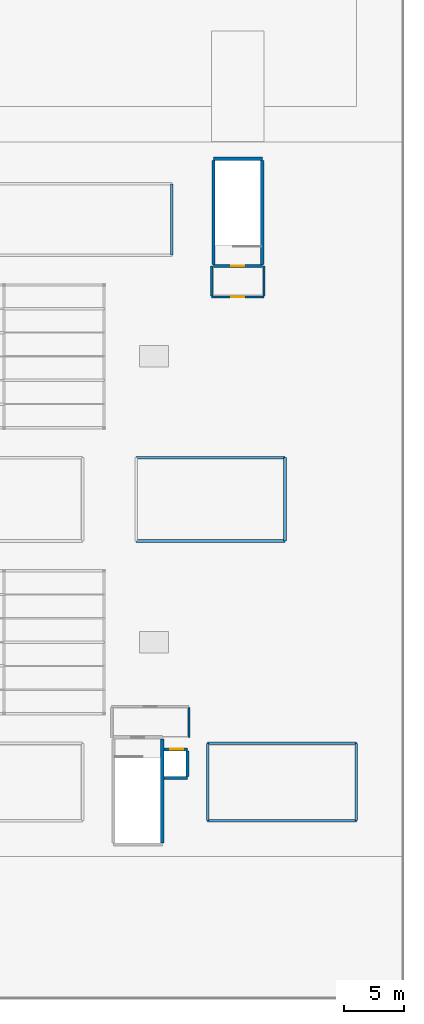
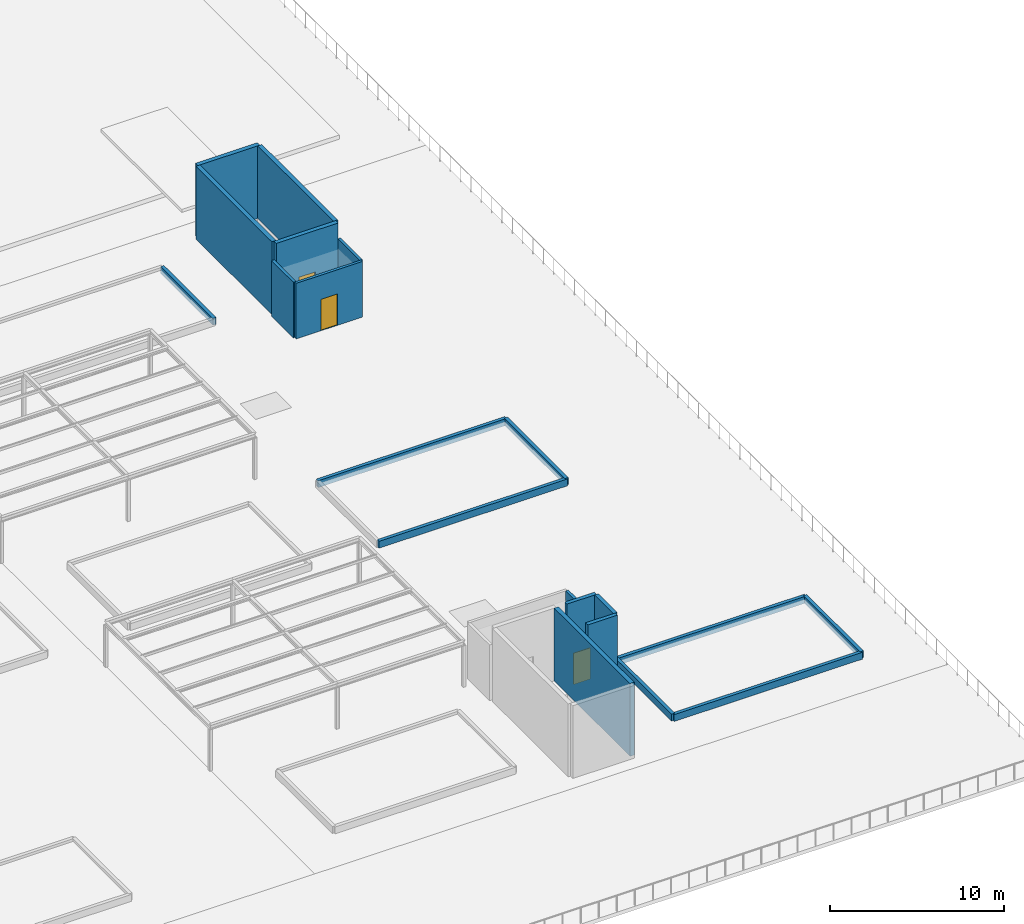
# One storey, part 44 of 49: 20 walls, 3 doors, 3 openings.
"""IFC4 building model written with IfcOpenShell, lengths in metres."""

from ifc_helpers import new_model, si_unit, direction, frame, frame_2d, origin, place, context, subcontext, project, spatial, rectangle, extrude, material, layer, layer_set, type_object, element, fill, save


model = new_model("IFC4")

# Units and contexts
model_context = context("Model", 3, precision=1e-05, world=origin(), true_north=direction((0.0, 1.0)))
body_context = subcontext(model_context, "Body", "Model", "MODEL_VIEW")
ifc_project = project(units=[si_unit("LENGTHUNIT", "METRE"), si_unit("AREAUNIT", "SQUARE_METRE"), si_unit("VOLUMEUNIT", "CUBIC_METRE"), si_unit("PLANEANGLEUNIT", "RADIAN"), si_unit("MASSUNIT", "GRAM", prefix="KILO")], contexts=[model_context])

# Site, building, storey
site_placement = place(None, origin())
site = spatial("IfcSite", under=ifc_project, at=site_placement, CompositionType="ELEMENT")
building_placement = place(site_placement, origin())
building = spatial("IfcBuilding", under=site, at=building_placement, Name="Sitalva Quay Ferry Terminal", CompositionType="ELEMENT")
storey_placement = place(building_placement, frame((0.0, 0.0, 10.199951171875)))
storey = spatial("IfcBuildingStorey", under=building, at=storey_placement, Name="L03", CompositionType="ELEMENT", Elevation=10.199951171875)

# Wall
ifc_material_1 = material(Name="Concrete C40/50", Category="concrete")
ifc_layer_1 = layer(ifc_material_1, 0.280029296875)
ifc_layer_set_1 = layer_set([ifc_layer_1], Name="Concrete C40/50")
wall_type_1 = type_object("IfcWallType", Name="Wall_CoreShear_280", PredefinedType="SHEAR", material=ifc_layer_set_1)
wall_1_placement = place(storey_placement, frame((147.699951171875, 19.139892578125, 0.0), z_axis=(0.0, 0.0, 1.0), x_axis=(0.0, 1.0, 0.0)))
element("IfcWall", 1, at=wall_1_placement, inside=storey, type_object=wall_type_1, Name="Core C8 L03 east shear wall", PredefinedType="SHEAR", context=body_context, shape_type="SweptSolid", body=[
    extrude(rectangle(XDim=8.72021484375, YDim=0.280029296875, at=frame_2d((4.360107421875, 0.0))), origin(), (0.0, 0.0, 1.0), 5.10009765625),
])

# Wall, opening, door
wall_2_placement = place(storey_placement, frame((152.0, 67.60009765625, 0.0), z_axis=(0.0, 0.0, 1.0), x_axis=(1.0, 0.0, 0.0)))
wall_2 = element("IfcWall", 2, at=wall_2_placement, inside=storey, type_object=wall_type_1, Name="Core C9 L03 south shear wall", PredefinedType="SHEAR", context=body_context, shape_type="SweptSolid", body=[
    extrude(rectangle(XDim=4.10009765625, YDim=0.280029296875, at=frame_2d((2.050048828125, 0.0))), origin(), (0.0, 0.0, 1.0), 5.10009765625),
])
opening_1_placement = place(wall_2_placement, frame((1.5, 0.0, 0.0)))
opening_1 = element("IfcOpeningElement", 3, at=opening_1_placement, cuts=wall_2, Name="Opening D-L03-035", PredefinedType="OPENING", context=body_context, shape_type="SweptSolid", body=[
    extrude(rectangle(XDim=1.10009765625, YDim=2.199951171875, at=frame_2d((0.550048828125, 1.10009765625))), frame((0.0, 0.14990234375, 0.0), z_axis=(0.0, -1.0, 0.0), x_axis=(1.0, 0.0, 0.0)), (0.0, 0.0, 1.0), 0.300048828125),
])
ifc_material_2 = material(Name="Galvanised Steel Fire Door", Category="steel")
door_type_1 = type_object("IfcDoorType", Name="Door_CoreExit_1100x2200", OperationType="SINGLE_SWING_LEFT", PredefinedType="DOOR", material=ifc_material_2)
door_1_placement = place(opening_1_placement, origin())
door_1 = element("IfcDoor", 4, at=door_1_placement, inside=storey, type_object=door_type_1, Name="DOOR-D-L03-035 Protected stair ST-09 door D-L03-035", OperationType="SINGLE_SWING_LEFT", OverallHeight=2.199951171875, OverallWidth=1.10009765625, PredefinedType="DOOR", context=body_context, shape_type="SweptSolid", body=[
    extrude(rectangle(XDim=1.10009765625, YDim=2.199951171875, at=frame_2d((0.550048828125, 1.10009765625))), frame((0.0, 0.02490234375, 0.0), z_axis=(0.0, -1.0, 0.0), x_axis=(1.0, 0.0, 0.0)), (0.0, 0.0, 1.0), 0.050048828125),
])
fill(opening_1, door_1)

# Walls
wall_3_placement = place(storey_placement, frame((152.0, 76.60009765625, 0.0), z_axis=(0.0, 0.0, 1.0), x_axis=(1.0, 0.0, 0.0)))
element("IfcWall", 5, at=wall_3_placement, inside=storey, type_object=wall_type_1, Name="Core C9 L03 north shear wall", PredefinedType="SHEAR", context=body_context, shape_type="SweptSolid", body=[
    extrude(rectangle(XDim=4.10009765625, YDim=0.280029296875, at=frame_2d((2.050048828125, 0.0))), origin(), (0.0, 0.0, 1.0), 5.10009765625),
])
for number, where, z_axis, x_axis, name in (
    (6, (152.0, 67.739990234375, 0.0), (0.0, 0.0, 1.0), (0.0, 1.0, 0.0), "Core C9 L03 west shear wall"),
    (7, (156.10009765625, 67.739990234375, 0.0), (0.0, 0.0, 1.0), (0.0, 1.0, 0.0), "Core C9 L03 east shear wall"),
):
    element("IfcWall", number, at=place(storey_placement, frame(where, z_axis=z_axis, x_axis=x_axis)), inside=storey, type_object=wall_type_1, Name=name, PredefinedType="SHEAR", context=body_context, shape_type="SweptSolid", body=[
        extrude(rectangle(XDim=8.719970703125, YDim=0.280029296875, at=frame_2d((4.35986328125, 0.0))), origin(), (0.0, 0.0, 1.0), 5.10009765625),
    ])
ifc_material_3 = material(Name="Fire-Rated Blockwork C25/30", Category="masonry")
ifc_layer_2 = layer(ifc_material_3, 0.179931640625)
ifc_layer_set_2 = layer_set([ifc_layer_2], Name="Fire-Rated Blockwork C25/30")
wall_type_2 = type_object("IfcWallType", Name="Wall_FireLobby_180", PredefinedType="SOLIDWALL", material=ifc_layer_set_2)
wall_4_placement = place(storey_placement, frame((149.949951171875, 28.0, 0.0), z_axis=(0.0, 0.0, 1.0), x_axis=(0.0, 1.0, 0.0)))
element("IfcWall", 8, at=wall_4_placement, inside=storey, type_object=wall_type_2, Name="Firefighting & Lift Lobby C8 E wall IW-L03-0081", PredefinedType="SOLIDWALL", context=body_context, shape_type="SweptSolid", body=[
    extrude(rectangle(XDim=2.510009765625, YDim=0.179931640625, at=frame_2d((1.2548828125, 0.0))), origin(), (0.0, 0.0, 1.0), 3.900146484375),
])

# Wall, opening, door
wall_5_placement = place(storey_placement, frame((151.85009765625, 65.0, 0.0), z_axis=(0.0, 0.0, 1.0), x_axis=(1.0, 0.0, 0.0)))
wall_5 = element("IfcWall", 9, at=wall_5_placement, inside=storey, type_object=wall_type_2, Name="Firefighting & Lift Lobby C9 S wall IW-L03-0088", PredefinedType="SOLIDWALL", context=body_context, shape_type="SweptSolid", body=[
    extrude(rectangle(XDim=4.39990234375, YDim=0.179931640625, at=frame_2d((2.199951171875, 0.0))), origin(), (0.0, 0.0, 1.0), 3.900146484375),
])
opening_2_placement = place(wall_5_placement, frame((1.64990234375, 0.0, 0.0)))
opening_2 = element("IfcOpeningElement", 10, at=opening_2_placement, cuts=wall_5, Name="Opening ID-L03-030", PredefinedType="OPENING", context=body_context, shape_type="SweptSolid", body=[
    extrude(rectangle(XDim=1.10009765625, YDim=2.199951171875, at=frame_2d((0.550048828125, 1.10009765625))), frame((0.0, 0.099853515625, 0.0), z_axis=(0.0, -1.0, 0.0), x_axis=(1.0, 0.0, 0.0)), (0.0, 0.0, 1.0), 0.199951171875),
])
ifc_material_4 = material(Name="Steel Fire Door", Category="steel")
door_type_2 = type_object("IfcDoorType", Name="Door_FireLobby_1100x2200", OperationType="SINGLE_SWING_LEFT", PredefinedType="DOOR", material=ifc_material_4)
door_2_placement = place(opening_2_placement, origin())
door_2 = element("IfcDoor", 11, at=door_2_placement, inside=storey, type_object=door_type_2, Name="IDOOR-ID-L03-030 Firefighting & Lift Lobby C9 entrance ID-L03-030", OperationType="SINGLE_SWING_RIGHT", OverallHeight=2.199951171875, OverallWidth=1.10009765625, PredefinedType="DOOR", context=body_context, shape_type="SweptSolid", body=[
    extrude(rectangle(XDim=1.10009765625, YDim=2.199951171875, at=frame_2d((0.550048828125, 1.10009765625))), frame((0.0, 0.02490234375, 0.0), z_axis=(0.0, -1.0, 0.0), x_axis=(1.0, 0.0, 0.0)), (0.0, 0.0, 1.0), 0.050048828125),
])
fill(opening_2, door_2)

# Walls
for number, where, z_axis, x_axis, name in (
    (12, (151.85009765625, 65.090087890625, 0.0), (0.0, 0.0, 1.0), (0.0, 1.0, 0.0), "Firefighting & Lift Lobby C9 W wall IW-L03-0089"),
    (13, (156.25, 65.090087890625, 0.0), (0.0, 0.0, 1.0), (0.0, 1.0, 0.0), "Firefighting & Lift Lobby C9 E wall IW-L03-0090"),
):
    element("IfcWall", number, at=place(storey_placement, frame(where, z_axis=z_axis, x_axis=x_axis)), inside=storey, type_object=wall_type_2, Name=name, PredefinedType="SOLIDWALL", context=body_context, shape_type="SweptSolid", body=[
        extrude(rectangle(XDim=2.510009765625, YDim=0.179931640625, at=frame_2d((1.2548828125, 0.0))), origin(), (0.0, 0.0, 1.0), 3.900146484375),
    ])
ifc_material_5 = material(Name="Concrete C35/45", Category="concrete")
ifc_layer_3 = layer(ifc_material_5, 0.25)
ifc_layer_set_3 = layer_set([ifc_layer_3], Name="Concrete C35/45")
wall_type_3 = type_object("IfcWallType", Name="Wall_LiftShaft_250", PredefinedType="SOLIDWALL", material=ifc_layer_set_3)
wall_6_placement = place(storey_placement, frame((147.844970703125, 24.60009765625, 0.0), z_axis=(0.0, 0.0, 1.0), x_axis=(1.0, 0.0, 0.0)))
element("IfcWall", 14, at=wall_6_placement, inside=storey, type_object=wall_type_3, Name="Lift LF-07 L03 south shaft wall", PredefinedType="SOLIDWALL", context=body_context, shape_type="SweptSolid", body=[
    extrude(rectangle(XDim=1.955078125, YDim=0.25, at=frame_2d((0.9775390625, 0.0))), origin(), (0.0, 0.0, 1.0), 5.880126953125),
])

# Wall, opening, door
wall_7_placement = place(storey_placement, frame((147.844970703125, 27.0, 0.0), z_axis=(0.0, 0.0, 1.0), x_axis=(1.0, 0.0, 0.0)))
wall_7 = element("IfcWall", 15, at=wall_7_placement, inside=storey, type_object=wall_type_3, Name="Lift LF-07 L03 north shaft wall", PredefinedType="SOLIDWALL", context=body_context, shape_type="SweptSolid", body=[
    extrude(rectangle(XDim=1.955078125, YDim=0.25, at=frame_2d((0.9775390625, 0.0))), origin(), (0.0, 0.0, 1.0), 5.880126953125),
])
opening_3_placement = place(wall_7_placement, frame((0.5, 0.0, 0.0)))
opening_3 = element("IfcOpeningElement", 16, at=opening_3_placement, cuts=wall_7, Name="Opening LD-LF-07-L03", PredefinedType="OPENING", context=body_context, shape_type="SweptSolid", body=[
    extrude(rectangle(XDim=1.10009765625, YDim=2.199951171875, at=frame_2d((0.550048828125, 1.10009765625))), frame((0.0, 0.135009765625, 0.0), z_axis=(0.0, -1.0, 0.0), x_axis=(1.0, 0.0, 0.0)), (0.0, 0.0, 1.0), 0.27001953125),
])
ifc_material_6 = material(Name="Stainless Steel 316L Fire Landing Door", Category="steel")
door_type_3 = type_object("IfcDoorType", Name="Door_LiftLanding_1100x2200", OperationType="SLIDING_TO_LEFT", PredefinedType="DOOR", material=ifc_material_6)
door_3_placement = place(opening_3_placement, origin())
door_3 = element("IfcDoor", 17, at=door_3_placement, inside=storey, type_object=door_type_3, Name="DOOR-LD-LF-07-L03 Lift LF-07 sliding landing door LD-LF-07-L03", OperationType="SLIDING_TO_LEFT", OverallHeight=2.199951171875, OverallWidth=1.10009765625, PredefinedType="DOOR", context=body_context, shape_type="SweptSolid", body=[
    extrude(rectangle(XDim=1.10009765625, YDim=2.199951171875, at=frame_2d((0.550048828125, 1.10009765625))), frame((0.0, 0.02490234375, 0.0), z_axis=(0.0, -1.0, 0.0), x_axis=(1.0, 0.0, 0.0)), (0.0, 0.0, 1.0), 0.050048828125),
])
fill(opening_3, door_3)

# Walls
wall_8_placement = place(storey_placement, frame((149.800048828125, 24.72509765625, 0.0), z_axis=(0.0, 0.0, 1.0), x_axis=(0.0, 1.0, 0.0)))
element("IfcWall", 18, at=wall_8_placement, inside=storey, type_object=wall_type_3, Name="Lift LF-07 L03 east shaft wall", PredefinedType="SOLIDWALL", context=body_context, shape_type="SweptSolid", body=[
    extrude(rectangle(XDim=2.14990234375, YDim=0.25, at=frame_2d((1.074951171875, 0.0))), origin(), (0.0, 0.0, 1.0), 5.880126953125),
])
ifc_material_7 = material(Name="Concrete C35/45", Category="concrete")
ifc_layer_4 = layer(ifc_material_7, 0.219970703125)
ifc_layer_set_4 = layer_set([ifc_layer_4], Name="Concrete C35/45")
wall_type_4 = type_object("IfcWallType", Name="Wall_PlanterKerb_220", PredefinedType="PARAPET", material=ifc_layer_set_4)
for number, where, z_axis, x_axis, name in (
    (19, (151.5, 21.0, 0.0), (0.0, 0.0, 1.0), (1.0, 0.0, 0.0), "Roof park planted parterre 04 kerb S"),
    (20, (151.5, 27.5, 0.0), (0.0, 0.0, 1.0), (1.0, 0.0, 0.0), "Roof park planted parterre 04 kerb N"),
):
    element("IfcWall", number, at=place(storey_placement, frame(where, z_axis=z_axis, x_axis=x_axis)), inside=storey, type_object=wall_type_4, Name=name, PredefinedType="PARAPET", context=body_context, shape_type="SweptSolid", body=[
        extrude(rectangle(XDim=12.5, YDim=0.219970703125, at=frame_2d((6.25, 0.0))), origin(), (0.0, 0.0, 1.0), 0.47998046875),
    ])
for number, where, z_axis, x_axis, name in (
    (21, (151.5, 21.0, 0.0), (0.0, 0.0, 1.0), (0.0, 1.0, 0.0), "Roof park planted parterre 04 kerb W"),
    (22, (164.0, 21.0, 0.0), (0.0, 0.0, 1.0), (0.0, 1.0, 0.0), "Roof park planted parterre 04 kerb E"),
):
    element("IfcWall", number, at=place(storey_placement, frame(where, z_axis=z_axis, x_axis=x_axis)), inside=storey, type_object=wall_type_4, Name=name, PredefinedType="PARAPET", context=body_context, shape_type="SweptSolid", body=[
        extrude(rectangle(XDim=6.5, YDim=0.219970703125, at=frame_2d((3.25, 0.0))), origin(), (0.0, 0.0, 1.0), 0.47998046875),
    ])
for number, where, z_axis, x_axis, name in (
    (23, (145.5, 44.5, 0.0), (0.0, 0.0, 1.0), (1.0, 0.0, 0.0), "Roof park planted parterre 08 kerb S"),
    (24, (145.5, 51.5, 0.0), (0.0, 0.0, 1.0), (1.0, 0.0, 0.0), "Roof park planted parterre 08 kerb N"),
):
    element("IfcWall", number, at=place(storey_placement, frame(where, z_axis=z_axis, x_axis=x_axis)), inside=storey, type_object=wall_type_4, Name=name, PredefinedType="PARAPET", context=body_context, shape_type="SweptSolid", body=[
        extrude(rectangle(XDim=12.5, YDim=0.219970703125, at=frame_2d((6.25, 0.0))), origin(), (0.0, 0.0, 1.0), 0.47998046875),
    ])
wall_9_placement = place(storey_placement, frame((158.0, 44.5, 0.0), z_axis=(0.0, 0.0, 1.0), x_axis=(0.0, 1.0, 0.0)))
element("IfcWall", 25, at=wall_9_placement, inside=storey, type_object=wall_type_4, Name="Roof park planted parterre 08 kerb E", PredefinedType="PARAPET", context=body_context, shape_type="SweptSolid", body=[
    extrude(rectangle(XDim=7.0, YDim=0.219970703125, at=frame_2d((3.5, 0.0))), origin(), (0.0, 0.0, 1.0), 0.47998046875),
])
wall_10_placement = place(storey_placement, frame((148.5, 68.5, 0.0), z_axis=(0.0, 0.0, 1.0), x_axis=(0.0, 1.0, 0.0)))
element("IfcWall", 26, at=wall_10_placement, inside=storey, type_object=wall_type_4, Name="Roof park planted parterre 12 kerb E", PredefinedType="PARAPET", context=body_context, shape_type="SweptSolid", body=[
    extrude(rectangle(XDim=6.0, YDim=0.219970703125, at=frame_2d((3.0, 0.0))), origin(), (0.0, 0.0, 1.0), 0.47998046875),
])

save(model, "model.ifc")
